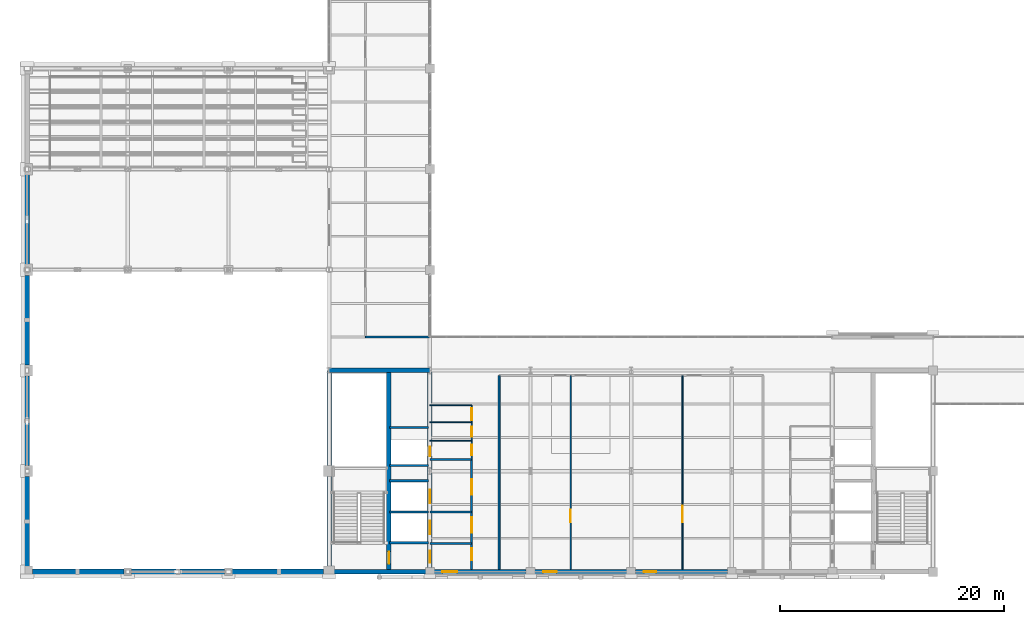
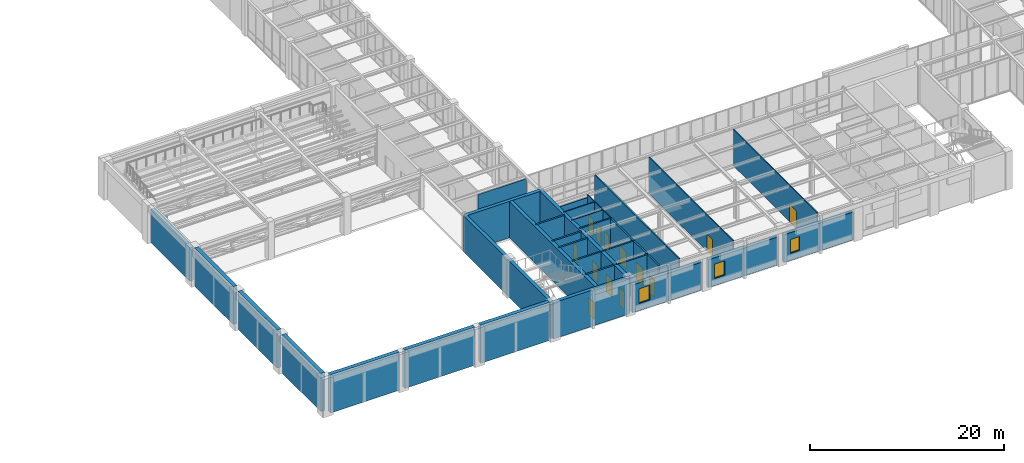
# One storey, part 79 of 92: 32 walls, 13 doors, 3 windows, 16 openings.
"""IFC4 building model written with IfcOpenShell, lengths in metres."""

from ifc_helpers import new_model, si_unit, direction, frame, frame_2d, origin, place, context, subcontext, project, spatial, rectangle, extrude, material, layer, layer_set, type_object, element, fill, save


model = new_model("IFC4")

# Units and contexts
model_context = context("Model", 3, precision=1e-05, world=origin(), true_north=direction((0.0, 1.0)))
body_context = subcontext(model_context, "Body", "Model", "MODEL_VIEW")
ifc_project = project(units=[si_unit("LENGTHUNIT", "METRE"), si_unit("AREAUNIT", "SQUARE_METRE"), si_unit("VOLUMEUNIT", "CUBIC_METRE"), si_unit("PLANEANGLEUNIT", "RADIAN"), si_unit("MASSUNIT", "GRAM", prefix="KILO")], contexts=[model_context])

# Site, building, storey
site_placement = place(None, origin())
site = spatial("IfcSite", under=ifc_project, at=site_placement, CompositionType="ELEMENT")
building_placement = place(site_placement, origin())
building = spatial("IfcBuilding", under=site, at=building_placement, Name="Lykobir Media Centre", CompositionType="ELEMENT")
storey_placement = place(building_placement, frame((0.0, 0.0, 5.39990234375)))
storey = spatial("IfcBuildingStorey", under=building, at=storey_placement, Name="L01", CompositionType="ELEMENT", Elevation=5.39990234375)

# Walls
ifc_material_1 = material(Name="Concrete C35/45", Category="concrete")
ifc_layer_1 = layer(ifc_material_1, 0.4599609375, Name="Concrete C35/45")
ifc_layer_set_1 = layer_set([ifc_layer_1], Name="Concrete C35/45")
wall_type_1 = type_object("IfcWallType", Name="EW-ACO-460", PredefinedType="STANDARD", material=ifc_layer_set_1)
wall_1_placement = place(storey_placement, frame((0.485107421875, 0.0, 0.0), z_axis=(0.0, 0.0, 1.0), x_axis=(1.0, 0.0, 0.0)))
element("IfcWall", 1, at=wall_1_placement, inside=storey, type_object=wall_type_1, Name="Exterior wall WALL-L01-0126", PredefinedType="STANDARD", context=body_context, shape_type="SweptSolid", body=[
    extrude(rectangle(XDim=8.179931640625, YDim=0.4599609375, at=frame_2d((4.08984375, 0.0))), origin(), (0.0, 0.0, 1.0), 4.800048828125),
])
wall_2_placement = place(storey_placement, frame((9.3349609375, 0.0, 0.0), z_axis=(0.0, 0.0, 1.0), x_axis=(1.0, 0.0, 0.0)))
element("IfcWall", 2, at=wall_2_placement, inside=storey, type_object=wall_type_1, Name="Exterior wall WALL-L01-0127", PredefinedType="STANDARD", context=body_context, shape_type="SweptSolid", body=[
    extrude(rectangle(XDim=8.330078125, YDim=0.4599609375, at=frame_2d((4.1650390625, 0.0))), origin(), (0.0, 0.0, 1.0), 4.800048828125),
])
wall_3_placement = place(storey_placement, frame((18.3349609375, 0.0, 0.0), z_axis=(0.0, 0.0, 1.0), x_axis=(1.0, 0.0, 0.0)))
element("IfcWall", 3, at=wall_3_placement, inside=storey, type_object=wall_type_1, Name="Exterior wall WALL-L01-0128", PredefinedType="STANDARD", context=body_context, shape_type="SweptSolid", body=[
    extrude(rectangle(XDim=8.179931640625, YDim=0.4599609375, at=frame_2d((4.08984375, 0.0))), origin(), (0.0, 0.0, 1.0), 4.800048828125),
])
wall_4_placement = place(storey_placement, frame((0.0, 35.514892578125, 0.0), z_axis=(0.0, 0.0, 1.0), x_axis=(0.0, -1.0, 0.0)))
element("IfcWall", 4, at=wall_4_placement, inside=storey, type_object=wall_type_1, Name="Exterior wall WALL-L01-0147", PredefinedType="STANDARD", context=body_context, shape_type="SweptSolid", body=[
    extrude(rectangle(XDim=8.02978515625, YDim=0.4599609375, at=frame_2d((4.014892578125, 0.0))), origin(), (0.0, 0.0, 1.0), 4.18505859375),
])
for number, where, z_axis, x_axis, name in (
    (5, (0.0, 8.514892578125, 0.0), (0.0, 0.0, 1.0), (0.0, -1.0, 0.0), "Exterior wall WALL-L01-0149"),
    (6, (0.0, 17.514892578125, 0.0), (0.0, 0.0, 1.0), (0.0, -1.0, 0.0), "Exterior wall WALL-L01-0150"),
    (7, (0.0, 26.514892578125, 0.0), (0.0, 0.0, 1.0), (0.0, -1.0, 0.0), "Exterior wall WALL-L01-0151"),
):
    element("IfcWall", number, at=place(storey_placement, frame(where, z_axis=z_axis, x_axis=x_axis)), inside=storey, type_object=wall_type_1, Name=name, PredefinedType="STANDARD", context=body_context, shape_type="SweptSolid", body=[
        extrude(rectangle(XDim=8.02978515625, YDim=0.4599609375, at=frame_2d((4.014892578125, 0.0))), origin(), (0.0, 0.0, 1.0), 4.800048828125),
    ])

# Wall, opening, window
ifc_material_2 = material(Name="Honed Travertine Stone", Category="masonry")
ifc_layer_2 = layer(ifc_material_2, 0.389892578125, Name="Honed Travertine Stone")
ifc_layer_set_2 = layer_set([ifc_layer_2], Name="Honed Travertine Stone")
wall_type_2 = type_object("IfcWallType", Name="EW-TRAV-390", PredefinedType="STANDARD", material=ifc_layer_set_2)
wall_5_placement = place(storey_placement, frame((36.385009765625, 0.0, 0.0), z_axis=(0.0, 0.0, 1.0), x_axis=(1.0, 0.0, 0.0)))
wall_5 = element("IfcWall", 8, at=wall_5_placement, inside=storey, type_object=wall_type_2, Name="Exterior wall WALL-L01-0129", PredefinedType="STANDARD", context=body_context, shape_type="SweptSolid", body=[
    extrude(rectangle(XDim=8.22998046875, YDim=0.389892578125, at=frame_2d((4.114990234375, 0.0))), origin(), (0.0, 0.0, 1.0), 3.4951171875),
])
opening_1_placement = place(wall_5_placement, frame((0.75, 0.0, 0.89990234375)))
opening_1 = element("IfcOpeningElement", 9, at=opening_1_placement, cuts=wall_5, Name="Opening WN-1300x1850", PredefinedType="OPENING", context=body_context, shape_type="SweptSolid", body=[
    extrude(rectangle(XDim=1.300048828125, YDim=1.85009765625, at=frame_2d((0.64990234375, 0.925048828125))), frame((0.0, 0.204833984375, 0.0), z_axis=(0.0, -1.0, 0.0), x_axis=(1.0, 0.0, 0.0)), (0.0, 0.0, 1.0), 0.409912109375),
])
ifc_material_3 = material(Name="Low-E Laminated Triple Glazing", Category="glass")
window_type_1 = type_object("IfcWindowType", Name="WN-1300x1850", PartitioningType="SINGLE_PANEL", PredefinedType="WINDOW", material=ifc_material_3)
window_1_placement = place(opening_1_placement, origin())
window_1 = element("IfcWindow", 10, at=window_1_placement, inside=storey, type_object=window_type_1, Name="Window WIN-L01-0028", OverallHeight=1.85009765625, OverallWidth=1.300048828125, PartitioningType="SINGLE_PANEL", PredefinedType="WINDOW", context=body_context, shape_type="SweptSolid", body=[
    extrude(rectangle(XDim=1.300048828125, YDim=1.85009765625, at=frame_2d((0.64990234375, 0.925048828125))), frame((0.0, 0.030029296875, 0.0), z_axis=(0.0, -1.0, 0.0), x_axis=(1.0, 0.0, 0.0)), (0.0, 0.0, 1.0), 0.06005859375),
])
fill(opening_1, window_1)

wall_6_placement = place(storey_placement, frame((45.385009765625, 0.0, 0.0), z_axis=(0.0, 0.0, 1.0), x_axis=(1.0, 0.0, 0.0)))
wall_6 = element("IfcWall", 11, at=wall_6_placement, inside=storey, type_object=wall_type_2, Name="Exterior wall WALL-L01-0130", PredefinedType="STANDARD", context=body_context, shape_type="SweptSolid", body=[
    extrude(rectangle(XDim=8.22998046875, YDim=0.389892578125, at=frame_2d((4.114990234375, 0.0))), origin(), (0.0, 0.0, 1.0), 3.4951171875),
])
opening_2_placement = place(wall_6_placement, frame((0.75, 0.0, 0.89990234375)))
opening_2 = element("IfcOpeningElement", 12, at=opening_2_placement, cuts=wall_6, Name="Opening WN-1200x1800", PredefinedType="OPENING", context=body_context, shape_type="SweptSolid", body=[
    extrude(rectangle(XDim=1.199951171875, YDim=1.800048828125, at=frame_2d((0.60009765625, 0.89990234375))), frame((0.0, 0.204833984375, 0.0), z_axis=(0.0, -1.0, 0.0), x_axis=(1.0, 0.0, 0.0)), (0.0, 0.0, 1.0), 0.409912109375),
])
window_type_2 = type_object("IfcWindowType", Name="WN-1200x1800", PartitioningType="SINGLE_PANEL", PredefinedType="WINDOW", material=ifc_material_3)
window_2_placement = place(opening_2_placement, origin())
window_2 = element("IfcWindow", 13, at=window_2_placement, inside=storey, type_object=window_type_2, Name="Window WIN-L01-0029", OverallHeight=1.800048828125, OverallWidth=1.199951171875, PartitioningType="SINGLE_PANEL", PredefinedType="WINDOW", context=body_context, shape_type="SweptSolid", body=[
    extrude(rectangle(XDim=1.199951171875, YDim=1.800048828125, at=frame_2d((0.60009765625, 0.89990234375))), frame((0.0, 0.030029296875, 0.0), z_axis=(0.0, -1.0, 0.0), x_axis=(1.0, 0.0, 0.0)), (0.0, 0.0, 1.0), 0.06005859375),
])
fill(opening_2, window_2)

wall_7_placement = place(storey_placement, frame((54.385009765625, 0.0, 0.0), z_axis=(0.0, 0.0, 1.0), x_axis=(1.0, 0.0, 0.0)))
wall_7 = element("IfcWall", 14, at=wall_7_placement, inside=storey, type_object=wall_type_2, Name="Exterior wall WALL-L01-0131", PredefinedType="STANDARD", context=body_context, shape_type="SweptSolid", body=[
    extrude(rectangle(XDim=8.22998046875, YDim=0.389892578125, at=frame_2d((4.114990234375, 0.0))), origin(), (0.0, 0.0, 1.0), 3.4951171875),
])
opening_3_placement = place(wall_7_placement, frame((0.75, 0.0, 0.89990234375)))
opening_3 = element("IfcOpeningElement", 15, at=opening_3_placement, cuts=wall_7, Name="Opening WN-1100x1750", PredefinedType="OPENING", context=body_context, shape_type="SweptSolid", body=[
    extrude(rectangle(XDim=1.10009765625, YDim=1.75, at=frame_2d((0.550048828125, 0.875))), frame((0.0, 0.204833984375, 0.0), z_axis=(0.0, -1.0, 0.0), x_axis=(1.0, 0.0, 0.0)), (0.0, 0.0, 1.0), 0.409912109375),
])
window_type_3 = type_object("IfcWindowType", Name="WN-1100x1750", PartitioningType="SINGLE_PANEL", PredefinedType="WINDOW", material=ifc_material_3)
window_3_placement = place(opening_3_placement, origin())
window_3 = element("IfcWindow", 16, at=window_3_placement, inside=storey, type_object=window_type_3, Name="Window WIN-L01-0030", OverallHeight=1.75, OverallWidth=1.10009765625, PartitioningType="SINGLE_PANEL", PredefinedType="WINDOW", context=body_context, shape_type="SweptSolid", body=[
    extrude(rectangle(XDim=1.10009765625, YDim=1.75, at=frame_2d((0.550048828125, 0.875))), frame((0.0, 0.030029296875, 0.0), z_axis=(0.0, -1.0, 0.0), x_axis=(1.0, 0.0, 0.0)), (0.0, 0.0, 1.0), 0.06005859375),
])
fill(opening_3, window_3)

# Walls
ifc_material_4 = material(Name="Acoustic Gypsum Board", Category="gypsum")
ifc_layer_3 = layer(ifc_material_4, 0.159912109375, Name="Acoustic Gypsum Board")
ifc_layer_set_3 = layer_set([ifc_layer_3], Name="Acoustic Gypsum Board")
wall_type_3 = type_object("IfcWallType", Name="IW-COR-160", PredefinedType="PARTITIONING", material=ifc_layer_set_3)
wall_8_placement = place(storey_placement, frame((42.199951171875, 0.219970703125, 0.0), z_axis=(0.0, 0.0, 1.0), x_axis=(0.0, 1.0, 0.0)))
element("IfcWall", 17, at=wall_8_placement, inside=storey, type_object=wall_type_3, Name="Wall IWALL-L01-0678", PredefinedType="PARTITIONING", context=body_context, shape_type="SweptSolid", body=[
    extrude(rectangle(XDim=17.330078125, YDim=0.159912109375, at=frame_2d((8.6650390625, 0.0))), origin(), (0.0, 0.0, 1.0), 4.56005859375),
])
wall_9_placement = place(storey_placement, frame((30.25, 21.0, 0.0), z_axis=(0.0, 0.0, 1.0), x_axis=(1.0, 0.0, 0.0)))
element("IfcWall", 18, at=wall_9_placement, inside=storey, type_object=wall_type_3, Name="Wall IWALL-L01-0683", PredefinedType="PARTITIONING", context=body_context, shape_type="SweptSolid", body=[
    extrude(rectangle(XDim=5.72998046875, YDim=0.159912109375, at=frame_2d((2.864990234375, 0.0))), origin(), (0.0, 0.0, 1.0), 4.18505859375),
])

# Wall, openings, doors
ifc_layer_4 = layer(ifc_material_4, 0.179931640625, Name="Acoustic Gypsum Board")
ifc_layer_set_4 = layer_set([ifc_layer_4], Name="Acoustic Gypsum Board")
wall_type_4 = type_object("IfcWallType", Name="IW-FFLOB-180", PredefinedType="PARTITIONING", material=ifc_layer_set_4)
wall_10_placement = place(storey_placement, frame((39.75, 0.219970703125, 0.0), z_axis=(0.0, 0.0, 1.0), x_axis=(0.0, 1.0, 0.0)))
wall_10 = element("IfcWall", 19, at=wall_10_placement, inside=storey, type_object=wall_type_4, Name="Wall IWALL-L01-0047", PredefinedType="PARTITIONING", context=body_context, shape_type="SweptSolid", body=[
    extrude(rectangle(XDim=9.830078125, YDim=0.179931640625, at=frame_2d((4.9150390625, 0.0))), origin(), (0.0, 0.0, 1.0), 4.56005859375),
])
opening_4_placement = place(wall_10_placement, frame((0.800048828125, 0.0, 0.0)))
opening_4 = element("IfcOpeningElement", 20, at=opening_4_placement, cuts=wall_10, Name="Opening D-L01-C1LV", PredefinedType="OPENING", context=body_context, shape_type="SweptSolid", body=[
    extrude(rectangle(XDim=1.10009765625, YDim=2.159912109375, at=frame_2d((0.550048828125, 1.080078125))), frame((0.0, 0.099853515625, 0.0), z_axis=(0.0, -1.0, 0.0), x_axis=(1.0, 0.0, 0.0)), (0.0, 0.0, 1.0), 0.199951171875),
])
opening_5_placement = place(wall_10_placement, frame((3.25, 0.0, 0.0)))
opening_5 = element("IfcOpeningElement", 21, at=opening_5_placement, cuts=wall_10, Name="Opening D-L01-C1PL", PredefinedType="OPENING", context=body_context, shape_type="SweptSolid", body=[
    extrude(rectangle(XDim=1.39990234375, YDim=2.199951171875, at=frame_2d((0.699951171875, 1.10009765625))), frame((0.0, 0.099853515625, 0.0), z_axis=(0.0, -1.0, 0.0), x_axis=(1.0, 0.0, 0.0)), (0.0, 0.0, 1.0), 0.199951171875),
])
opening_6_placement = place(wall_10_placement, frame((6.64990234375, 0.0, 0.0)))
opening_6 = element("IfcOpeningElement", 22, at=opening_6_placement, cuts=wall_10, Name="Opening D-L01-C1FF", PredefinedType="OPENING", context=body_context, shape_type="SweptSolid", body=[
    extrude(rectangle(XDim=1.39990234375, YDim=2.199951171875, at=frame_2d((0.699951171875, 1.10009765625))), frame((0.0, 0.099853515625, 0.0), z_axis=(0.0, -1.0, 0.0), x_axis=(1.0, 0.0, 0.0)), (0.0, 0.0, 1.0), 0.199951171875),
])
ifc_material_5 = material(Name="Acoustic Timber Panelling", Category="wood")
door_type_1 = type_object("IfcDoorType", Name="FD-1100x2160", OperationType="NOTDEFINED", PredefinedType="DOOR", material=ifc_material_5)
door_1_placement = place(opening_4_placement, origin())
door_1 = element("IfcDoor", 23, at=door_1_placement, inside=storey, type_object=door_type_1, Name="Door D-L01-C1LV", OperationType="SINGLE_SWING_RIGHT", OverallHeight=2.159912109375, OverallWidth=1.10009765625, PredefinedType="DOOR", context=body_context, shape_type="SweptSolid", body=[
    extrude(rectangle(XDim=1.10009765625, YDim=2.159912109375, at=frame_2d((0.550048828125, 1.080078125))), frame((0.0, 0.02490234375, 0.0), z_axis=(0.0, -1.0, 0.0), x_axis=(1.0, 0.0, 0.0)), (0.0, 0.0, 1.0), 0.050048828125),
])
fill(opening_4, door_1)
door_type_2 = type_object("IfcDoorType", Name="FD-1400x2200", OperationType="NOTDEFINED", PredefinedType="DOOR", material=ifc_material_5)
door_2_placement = place(opening_5_placement, origin())
door_2 = element("IfcDoor", 24, at=door_2_placement, inside=storey, type_object=door_type_2, Name="Door D-L01-C1PL", OperationType="DOUBLE_DOOR_SINGLE_SWING", OverallHeight=2.199951171875, OverallWidth=1.39990234375, PredefinedType="DOOR", context=body_context, shape_type="SweptSolid", body=[
    extrude(rectangle(XDim=1.39990234375, YDim=2.199951171875, at=frame_2d((0.699951171875, 1.10009765625))), frame((0.0, 0.02490234375, 0.0), z_axis=(0.0, -1.0, 0.0), x_axis=(1.0, 0.0, 0.0)), (0.0, 0.0, 1.0), 0.050048828125),
])
fill(opening_5, door_2)
door_3_placement = place(opening_6_placement, origin())
door_3 = element("IfcDoor", 25, at=door_3_placement, inside=storey, type_object=door_type_2, Name="Door D-L01-C1FF", OperationType="DOUBLE_DOOR_SINGLE_SWING", OverallHeight=2.199951171875, OverallWidth=1.39990234375, PredefinedType="DOOR", context=body_context, shape_type="SweptSolid", body=[
    extrude(rectangle(XDim=1.39990234375, YDim=2.199951171875, at=frame_2d((0.699951171875, 1.10009765625))), frame((0.0, 0.02490234375, 0.0), z_axis=(0.0, -1.0, 0.0), x_axis=(1.0, 0.0, 0.0)), (0.0, 0.0, 1.0), 0.050048828125),
])
fill(opening_6, door_3)

# Walls
for number, where, z_axis, x_axis, name in (
    (26, (36.0, 2.550048828125, 0.0), (0.0, 0.0, 1.0), (1.0, 0.0, 0.0), "Wall IWALL-L01-0048"),
    (27, (36.0, 5.35009765625, 0.0), (0.0, 0.0, 1.0), (1.0, 0.0, 0.0), "Wall IWALL-L01-0049"),
    (28, (36.0, 10.050048828125, 0.0), (0.0, 0.0, 1.0), (1.0, 0.0, 0.0), "Wall IWALL-L01-0050"),
):
    element("IfcWall", number, at=place(storey_placement, frame(where, z_axis=z_axis, x_axis=x_axis)), inside=storey, type_object=wall_type_4, Name=name, PredefinedType="PARTITIONING", context=body_context, shape_type="SweptSolid", body=[
        extrude(rectangle(XDim=3.75, YDim=0.179931640625, at=frame_2d((1.875, 0.0))), origin(), (0.0, 0.0, 1.0), 4.56005859375),
    ])

# Wall, opening, door
ifc_layer_5 = layer(ifc_material_4, 0.110107421875, Name="Acoustic Gypsum Board")
ifc_layer_set_5 = layer_set([ifc_layer_5], Name="Acoustic Gypsum Board")
wall_type_5 = type_object("IfcWallType", Name="IW-RM-110", PredefinedType="PARTITIONING", material=ifc_layer_set_5)
wall_11_placement = place(storey_placement, frame((58.60009765625, 0.219970703125, 0.0), z_axis=(0.0, 0.0, 1.0), x_axis=(0.0, 1.0, 0.0)))
wall_11 = element("IfcWall", 29, at=wall_11_placement, inside=storey, type_object=wall_type_5, Name="Wall IWALL-L01-0681", PredefinedType="PARTITIONING", context=body_context, shape_type="SweptSolid", body=[
    extrude(rectangle(XDim=17.330078125, YDim=0.110107421875, at=frame_2d((8.6650390625, 0.0))), origin(), (0.0, 0.0, 1.0), 4.56005859375),
])
opening_7_placement = place(wall_11_placement, frame((4.199951171875, 0.0, 0.0)))
opening_7 = element("IfcOpeningElement", 30, at=opening_7_placement, cuts=wall_11, Name="Opening D-L01-V7S2", PredefinedType="OPENING", context=body_context, shape_type="SweptSolid", body=[
    extrude(rectangle(XDim=1.5, YDim=2.199951171875, at=frame_2d((0.75, 1.10009765625))), frame((0.0, 0.06494140625, 0.0), z_axis=(0.0, -1.0, 0.0), x_axis=(1.0, 0.0, 0.0)), (0.0, 0.0, 1.0), 0.130126953125),
])
door_type_3 = type_object("IfcDoorType", Name="ID-1500x2200", OperationType="NOTDEFINED", PredefinedType="DOOR", material=ifc_material_5)
door_4_placement = place(opening_7_placement, origin())
door_4 = element("IfcDoor", 31, at=door_4_placement, inside=storey, type_object=door_type_3, Name="Door D-L01-V7S2", OperationType="SINGLE_SWING_RIGHT", OverallHeight=2.199951171875, OverallWidth=1.5, PredefinedType="DOOR", context=body_context, shape_type="SweptSolid", body=[
    extrude(rectangle(XDim=1.5, YDim=2.199951171875, at=frame_2d((0.75, 1.10009765625))), frame((0.0, 0.02490234375, 0.0), z_axis=(0.0, -1.0, 0.0), x_axis=(1.0, 0.0, 0.0)), (0.0, 0.0, 1.0), 0.050048828125),
])
fill(opening_7, door_4)

ifc_layer_6 = layer(ifc_material_4, 0.125, Name="Acoustic Gypsum Board")
ifc_layer_set_6 = layer_set([ifc_layer_6], Name="Acoustic Gypsum Board")
wall_type_6 = type_object("IfcWallType", Name="IW-RM-125", PredefinedType="PARTITIONING", material=ifc_layer_set_6)
wall_12_placement = place(storey_placement, frame((48.60009765625, 0.219970703125, 0.0), z_axis=(0.0, 0.0, 1.0), x_axis=(0.0, 1.0, 0.0)))
wall_12 = element("IfcWall", 32, at=wall_12_placement, inside=storey, type_object=wall_type_6, Name="Wall IWALL-L01-0680", PredefinedType="PARTITIONING", context=body_context, shape_type="SweptSolid", body=[
    extrude(rectangle(XDim=17.330078125, YDim=0.125, at=frame_2d((8.6650390625, 0.0))), origin(), (0.0, 0.0, 1.0), 4.56005859375),
])
opening_8_placement = place(wall_12_placement, frame((4.199951171875, 0.0, 0.0)))
opening_8 = element("IfcOpeningElement", 33, at=opening_8_placement, cuts=wall_12, Name="Opening D-L01-V7S1", PredefinedType="OPENING", context=body_context, shape_type="SweptSolid", body=[
    extrude(rectangle(XDim=1.14990234375, YDim=2.14990234375, at=frame_2d((0.574951171875, 1.074951171875))), frame((0.0, 0.072509765625, 0.0), z_axis=(0.0, -1.0, 0.0), x_axis=(1.0, 0.0, 0.0)), (0.0, 0.0, 1.0), 0.14501953125),
])
door_type_4 = type_object("IfcDoorType", Name="ID-1150x2150", OperationType="NOTDEFINED", PredefinedType="DOOR", material=ifc_material_5)
door_5_placement = place(opening_8_placement, origin())
door_5 = element("IfcDoor", 34, at=door_5_placement, inside=storey, type_object=door_type_4, Name="Door D-L01-V7S1", OperationType="SINGLE_SWING_RIGHT", OverallHeight=2.14990234375, OverallWidth=1.14990234375, PredefinedType="DOOR", context=body_context, shape_type="SweptSolid", body=[
    extrude(rectangle(XDim=1.14990234375, YDim=2.14990234375, at=frame_2d((0.574951171875, 1.074951171875))), frame((0.0, 0.02490234375, 0.0), z_axis=(0.0, -1.0, 0.0), x_axis=(1.0, 0.0, 0.0)), (0.0, 0.0, 1.0), 0.050048828125),
])
fill(opening_8, door_5)

# Walls
ifc_material_6 = material(Name="Concrete C30/37", Category="concrete")
ifc_layer_7 = layer(ifc_material_6, 0.199951171875, Name="Concrete C30/37")
ifc_layer_set_7 = layer_set([ifc_layer_7], Name="Concrete C30/37")
wall_type_7 = type_object("IfcWallType", Name="IW-SHAFT-200", PredefinedType="PARTITIONING", material=ifc_layer_set_7)
for number, where, z_axis, x_axis, name in (
    (35, (32.39990234375, 2.60009765625, 0.0), (0.0, 0.0, 1.0), (1.0, 0.0, 0.0), "Wall IWALL-L01-0042"),
    (36, (32.39990234375, 5.35009765625, 0.0), (0.0, 0.0, 1.0), (1.0, 0.0, 0.0), "Wall IWALL-L01-0043"),
    (37, (32.39990234375, 8.14990234375, 0.0), (0.0, 0.0, 1.0), (1.0, 0.0, 0.0), "Wall IWALL-L01-0044"),
    (38, (32.39990234375, 9.5, 0.0), (0.0, 0.0, 1.0), (1.0, 0.0, 0.0), "Wall IWALL-L01-0045"),
    (39, (32.39990234375, 12.89990234375, 0.0), (0.0, 0.0, 1.0), (1.0, 0.0, 0.0), "Wall IWALL-L01-0046"),
):
    element("IfcWall", number, at=place(storey_placement, frame(where, z_axis=z_axis, x_axis=x_axis)), inside=storey, type_object=wall_type_7, Name=name, PredefinedType="PARTITIONING", context=body_context, shape_type="SweptSolid", body=[
        extrude(rectangle(XDim=3.5, YDim=0.199951171875, at=frame_2d((1.75, 0.0))), origin(), (0.0, 0.0, 1.0), 4.56005859375),
    ])

# Wall, openings, doors
ifc_layer_8 = layer(ifc_material_4, 0.094970703125, Name="Acoustic Gypsum Board")
ifc_layer_set_8 = layer_set([ifc_layer_8], Name="Acoustic Gypsum Board")
wall_type_8 = type_object("IfcWallType", Name="IW-WC-095", PredefinedType="PARTITIONING", material=ifc_layer_set_8)
wall_13_placement = place(storey_placement, frame((39.75, 10.050048828125, 0.0), z_axis=(0.0, 0.0, 1.0), x_axis=(0.0, 1.0, 0.0)))
wall_13 = element("IfcWall", 40, at=wall_13_placement, inside=storey, type_object=wall_type_8, Name="Wall IWALL-L01-0051", PredefinedType="PARTITIONING", context=body_context, shape_type="SweptSolid", body=[
    extrude(rectangle(XDim=4.849853515625, YDim=0.094970703125, at=frame_2d((2.4248046875, 0.0))), origin(), (0.0, 0.0, 1.0), 4.56005859375),
])
opening_9_placement = place(wall_13_placement, frame((0.3798828125, 0.0, 0.0)))
opening_9 = element("IfcOpeningElement", 41, at=opening_9_placement, cuts=wall_13, Name="Opening D-L01-WCM", PredefinedType="OPENING", context=body_context, shape_type="SweptSolid", body=[
    extrude(rectangle(XDim=0.919921875, YDim=2.10009765625, at=frame_2d((0.4599609375, 1.050048828125))), frame((0.0, 0.057373046875, 0.0), z_axis=(0.0, -1.0, 0.0), x_axis=(1.0, 0.0, 0.0)), (0.0, 0.0, 1.0), 0.114990234375),
])
opening_10_placement = place(wall_13_placement, frame((2.02001953125, 0.0, 0.0)))
opening_10 = element("IfcOpeningElement", 42, at=opening_10_placement, cuts=wall_13, Name="Opening D-L01-WCF", PredefinedType="OPENING", context=body_context, shape_type="SweptSolid", body=[
    extrude(rectangle(XDim=0.919921875, YDim=2.10009765625, at=frame_2d((0.4599609375, 1.050048828125))), frame((0.0, 0.057373046875, 0.0), z_axis=(0.0, -1.0, 0.0), x_axis=(1.0, 0.0, 0.0)), (0.0, 0.0, 1.0), 0.114990234375),
])
opening_11_placement = place(wall_13_placement, frame((3.52001953125, 0.0, 0.0)))
opening_11 = element("IfcOpeningElement", 43, at=opening_11_placement, cuts=wall_13, Name="Opening D-L01-WCA1", PredefinedType="OPENING", context=body_context, shape_type="SweptSolid", body=[
    extrude(rectangle(XDim=1.050048828125, YDim=2.1298828125, at=frame_2d((0.52490234375, 1.06494140625))), frame((0.0, 0.057373046875, 0.0), z_axis=(0.0, -1.0, 0.0), x_axis=(1.0, 0.0, 0.0)), (0.0, 0.0, 1.0), 0.114990234375),
])
door_type_5 = type_object("IfcDoorType", Name="ID-0920x2100", OperationType="NOTDEFINED", PredefinedType="DOOR", material=ifc_material_5)
door_6_placement = place(opening_9_placement, origin())
door_6 = element("IfcDoor", 44, at=door_6_placement, inside=storey, type_object=door_type_5, Name="Door D-L01-WCM", OperationType="SINGLE_SWING_LEFT", OverallHeight=2.10009765625, OverallWidth=0.919921875, PredefinedType="DOOR", context=body_context, shape_type="SweptSolid", body=[
    extrude(rectangle(XDim=0.919921875, YDim=2.10009765625, at=frame_2d((0.4599609375, 1.050048828125))), frame((0.0, 0.02490234375, 0.0), z_axis=(0.0, -1.0, 0.0), x_axis=(1.0, 0.0, 0.0)), (0.0, 0.0, 1.0), 0.050048828125),
])
fill(opening_9, door_6)
door_7_placement = place(opening_10_placement, origin())
door_7 = element("IfcDoor", 45, at=door_7_placement, inside=storey, type_object=door_type_5, Name="Door D-L01-WCF", OperationType="SINGLE_SWING_RIGHT", OverallHeight=2.10009765625, OverallWidth=0.919921875, PredefinedType="DOOR", context=body_context, shape_type="SweptSolid", body=[
    extrude(rectangle(XDim=0.919921875, YDim=2.10009765625, at=frame_2d((0.4599609375, 1.050048828125))), frame((0.0, 0.02490234375, 0.0), z_axis=(0.0, -1.0, 0.0), x_axis=(1.0, 0.0, 0.0)), (0.0, 0.0, 1.0), 0.050048828125),
])
fill(opening_10, door_7)
door_type_6 = type_object("IfcDoorType", Name="ID-1050x2130", OperationType="NOTDEFINED", PredefinedType="DOOR", material=ifc_material_5)
door_8_placement = place(opening_11_placement, origin())
door_8 = element("IfcDoor", 46, at=door_8_placement, inside=storey, type_object=door_type_6, Name="Door D-L01-WCA1", OperationType="SINGLE_SWING_LEFT", OverallHeight=2.1298828125, OverallWidth=1.050048828125, PredefinedType="DOOR", context=body_context, shape_type="SweptSolid", body=[
    extrude(rectangle(XDim=1.050048828125, YDim=2.1298828125, at=frame_2d((0.52490234375, 1.06494140625))), frame((0.0, 0.02490234375, 0.0), z_axis=(0.0, -1.0, 0.0), x_axis=(1.0, 0.0, 0.0)), (0.0, 0.0, 1.0), 0.050048828125),
])
fill(opening_11, door_8)

# Walls
for number, where, z_axis, x_axis, name in (
    (47, (36.0, 11.719970703125, 0.0), (0.0, 0.0, 1.0), (1.0, 0.0, 0.0), "Wall IWALL-L01-0052"),
    (48, (36.0, 13.3798828125, 0.0), (0.0, 0.0, 1.0), (1.0, 0.0, 0.0), "Wall IWALL-L01-0053"),
):
    element("IfcWall", number, at=place(storey_placement, frame(where, z_axis=z_axis, x_axis=x_axis)), inside=storey, type_object=wall_type_8, Name=name, PredefinedType="PARTITIONING", context=body_context, shape_type="SweptSolid", body=[
        extrude(rectangle(XDim=3.75, YDim=0.094970703125, at=frame_2d((1.875, 0.0))), origin(), (0.0, 0.0, 1.0), 4.56005859375),
    ])
wall_14_placement = place(storey_placement, frame((36.0, 14.89990234375, 0.0), z_axis=(0.0, 0.0, 1.0), x_axis=(1.0, 0.0, 0.0)))
element("IfcWall", 49, at=wall_14_placement, inside=storey, type_object=wall_type_8, Name="Wall IWALL-L01-0054", PredefinedType="PARTITIONING", context=body_context, shape_type="SweptSolid", body=[
    extrude(rectangle(XDim=3.75, YDim=0.094970703125, at=frame_2d((1.875, 0.0))), origin(), (0.0, 0.0, 1.0), 4.18505859375),
])

# Wall, openings, doors
ifc_material_7 = material(Name="Concrete C40/50", Category="concrete")
ifc_layer_9 = layer(ifc_material_7, 0.39990234375, Name="Concrete C40/50")
ifc_layer_set_9 = layer_set([ifc_layer_9], Name="Concrete C40/50")
wall_type_9 = type_object("IfcWallType", Name="SW-CORE-400", PredefinedType="SHEAR", material=ifc_layer_set_9)
wall_15_placement = place(storey_placement, frame((36.0, 0.0, 0.0), z_axis=(0.0, 0.0, 1.0), x_axis=(0.0, 1.0, 0.0)))
wall_15 = element("IfcWall", 50, at=wall_15_placement, inside=storey, type_object=wall_type_9, Name="Wall IWALL-L01-0038", PredefinedType="SHEAR", context=body_context, shape_type="SweptSolid", body=[
    extrude(rectangle(XDim=18.0, YDim=0.39990234375, at=frame_2d((9.0, 0.0))), origin(), (0.0, 0.0, 1.0), 4.56005859375),
])
opening_12_placement = place(wall_15_placement, frame((0.800048828125, 0.0, 0.0)))
opening_12 = element("IfcOpeningElement", 51, at=opening_12_placement, cuts=wall_15, Name="Opening D-L01-C1VB", PredefinedType="OPENING", context=body_context, shape_type="SweptSolid", body=[
    extrude(rectangle(XDim=1.10009765625, YDim=2.159912109375, at=frame_2d((0.550048828125, 1.080078125))), frame((0.0, 0.2099609375, 0.0), z_axis=(0.0, -1.0, 0.0), x_axis=(1.0, 0.0, 0.0)), (0.0, 0.0, 1.0), 0.419921875),
])
opening_13_placement = place(wall_15_placement, frame((3.35009765625, 0.0, 0.0)))
opening_13 = element("IfcOpeningElement", 52, at=opening_13_placement, cuts=wall_15, Name="Opening LD-L01-PL-1", PredefinedType="OPENING", context=body_context, shape_type="SweptSolid", body=[
    extrude(rectangle(XDim=1.199951171875, YDim=2.199951171875, at=frame_2d((0.60009765625, 1.10009765625))), frame((0.0, 0.2099609375, 0.0), z_axis=(0.0, -1.0, 0.0), x_axis=(1.0, 0.0, 0.0)), (0.0, 0.0, 1.0), 0.419921875),
])
opening_14_placement = place(wall_15_placement, frame((6.14990234375, 0.0, 0.0)))
opening_14 = element("IfcOpeningElement", 53, at=opening_14_placement, cuts=wall_15, Name="Opening LD-L01-FL-1", PredefinedType="OPENING", context=body_context, shape_type="SweptSolid", body=[
    extrude(rectangle(XDim=1.199951171875, YDim=2.199951171875, at=frame_2d((0.60009765625, 1.10009765625))), frame((0.0, 0.2099609375, 0.0), z_axis=(0.0, -1.0, 0.0), x_axis=(1.0, 0.0, 0.0)), (0.0, 0.0, 1.0), 0.419921875),
])
opening_15_placement = place(wall_15_placement, frame((10.35009765625, 0.0, 0.0)))
opening_15 = element("IfcOpeningElement", 54, at=opening_15_placement, cuts=wall_15, Name="Opening D-L01-C1RS", PredefinedType="OPENING", context=body_context, shape_type="SweptSolid", body=[
    extrude(rectangle(XDim=0.85009765625, YDim=2.10009765625, at=frame_2d((0.425048828125, 1.050048828125))), frame((0.0, 0.2099609375, 0.0), z_axis=(0.0, -1.0, 0.0), x_axis=(1.0, 0.0, 0.0)), (0.0, 0.0, 1.0), 0.419921875),
])
ifc_material_8 = material(Name="Anodized Aluminium AW-6060", Category="aluminium")
door_type_7 = type_object("IfcDoorType", Name="FD-0850x2100", OperationType="NOTDEFINED", PredefinedType="DOOR", material=ifc_material_8)
door_9_placement = place(opening_15_placement, origin())
door_9 = element("IfcDoor", 55, at=door_9_placement, inside=storey, type_object=door_type_7, Name="Riser access door C1 L01", OperationType="SINGLE_SWING_LEFT", OverallHeight=2.10009765625, OverallWidth=0.85009765625, PredefinedType="DOOR", context=body_context, shape_type="SweptSolid", body=[
    extrude(rectangle(XDim=0.85009765625, YDim=2.10009765625, at=frame_2d((0.425048828125, 1.050048828125))), frame((0.0, 0.02490234375, 0.0), z_axis=(0.0, -1.0, 0.0), x_axis=(1.0, 0.0, 0.0)), (0.0, 0.0, 1.0), 0.050048828125),
])
fill(opening_15, door_9)
door_10_placement = place(opening_12_placement, origin())
door_10 = element("IfcDoor", 56, at=door_10_placement, inside=storey, type_object=door_type_1, Name="Door D-L01-C1VB", OperationType="SINGLE_SWING_RIGHT", OverallHeight=2.159912109375, OverallWidth=1.10009765625, PredefinedType="DOOR", context=body_context, shape_type="SweptSolid", body=[
    extrude(rectangle(XDim=1.10009765625, YDim=2.159912109375, at=frame_2d((0.550048828125, 1.080078125))), frame((0.0, 0.02490234375, 0.0), z_axis=(0.0, -1.0, 0.0), x_axis=(1.0, 0.0, 0.0)), (0.0, 0.0, 1.0), 0.050048828125),
])
fill(opening_12, door_10)
door_type_8 = type_object("IfcDoorType", Name="LD-1200x2200", OperationType="NOTDEFINED", PredefinedType="DOOR", material=ifc_material_8)
door_11_placement = place(opening_13_placement, origin())
door_11 = element("IfcDoor", 57, at=door_11_placement, inside=storey, type_object=door_type_8, Name="Lift landing door PL-1 L01", OperationType="SLIDING_TO_LEFT", OverallHeight=2.199951171875, OverallWidth=1.199951171875, PredefinedType="DOOR", context=body_context, shape_type="SweptSolid", body=[
    extrude(rectangle(XDim=1.199951171875, YDim=2.199951171875, at=frame_2d((0.60009765625, 1.10009765625))), frame((0.0, 0.02490234375, 0.0), z_axis=(0.0, -1.0, 0.0), x_axis=(1.0, 0.0, 0.0)), (0.0, 0.0, 1.0), 0.050048828125),
])
fill(opening_13, door_11)
door_12_placement = place(opening_14_placement, origin())
door_12 = element("IfcDoor", 58, at=door_12_placement, inside=storey, type_object=door_type_8, Name="Firefighting lift landing door FL-1 L01", OperationType="SLIDING_TO_LEFT", OverallHeight=2.199951171875, OverallWidth=1.199951171875, PredefinedType="DOOR", context=body_context, shape_type="SweptSolid", body=[
    extrude(rectangle(XDim=1.199951171875, YDim=2.199951171875, at=frame_2d((0.60009765625, 1.10009765625))), frame((0.0, 0.02490234375, 0.0), z_axis=(0.0, -1.0, 0.0), x_axis=(1.0, 0.0, 0.0)), (0.0, 0.0, 1.0), 0.050048828125),
])
fill(opening_14, door_12)

# Wall, opening, door
wall_16_placement = place(storey_placement, frame((32.35009765625, 0.0, 0.0), z_axis=(0.0, 0.0, 1.0), x_axis=(0.0, 1.0, 0.0)))
wall_16 = element("IfcWall", 59, at=wall_16_placement, inside=storey, type_object=wall_type_9, Name="Wall IWALL-L01-0041", PredefinedType="SHEAR", context=body_context, shape_type="SweptSolid", body=[
    extrude(rectangle(XDim=18.0, YDim=0.39990234375, at=frame_2d((9.0, 0.0))), origin(), (0.0, 0.0, 1.0), 4.56005859375),
])
opening_16_placement = place(wall_16_placement, frame((0.699951171875, 0.0, 0.0)))
opening_16 = element("IfcOpeningElement", 60, at=opening_16_placement, cuts=wall_16, Name="Opening D-L01-C1ST", PredefinedType="OPENING", context=body_context, shape_type="SweptSolid", body=[
    extrude(rectangle(XDim=1.10009765625, YDim=2.159912109375, at=frame_2d((0.550048828125, 1.080078125))), frame((0.0, 0.2099609375, 0.0), z_axis=(0.0, -1.0, 0.0), x_axis=(1.0, 0.0, 0.0)), (0.0, 0.0, 1.0), 0.419921875),
])
door_13_placement = place(opening_16_placement, frame((1.10009765625, 0.0, 0.0), z_axis=(0.0, 0.0, 1.0), x_axis=(-1.0, 0.0, 0.0)))
door_13 = element("IfcDoor", 61, at=door_13_placement, inside=storey, type_object=door_type_1, Name="L01 ST-1 stairwell fire door", OperationType="SINGLE_SWING_LEFT", OverallHeight=2.159912109375, OverallWidth=1.10009765625, PredefinedType="DOOR", context=body_context, shape_type="SweptSolid", body=[
    extrude(rectangle(XDim=1.10009765625, YDim=2.159912109375, at=frame_2d((0.550048828125, 1.080078125))), frame((0.0, 0.02490234375, 0.0), z_axis=(0.0, -1.0, 0.0), x_axis=(1.0, 0.0, 0.0)), (0.0, 0.0, 1.0), 0.050048828125),
])
fill(opening_16, door_13)

# Walls
ifc_layer_10 = layer(ifc_material_7, 0.39990234375, Name="Concrete C40/50")
ifc_layer_set_10 = layer_set([ifc_layer_10], Name="Concrete C40/50")
wall_type_10 = type_object("IfcWallType", Name="SW-CORE-400-E", PredefinedType="SHEAR", material=ifc_layer_set_10)
for number, where, z_axis, x_axis, name in (
    (62, (27.0, 0.0, 0.0), (0.0, 0.0, 1.0), (1.0, 0.0, 0.0), "Wall IWALL-L01-0037"),
    (63, (36.0, 18.0, 0.0), (0.0, 0.0, 1.0), (-1.0, 0.0, 0.0), "Wall IWALL-L01-0039"),
):
    element("IfcWall", number, at=place(storey_placement, frame(where, z_axis=z_axis, x_axis=x_axis)), inside=storey, type_object=wall_type_10, Name=name, PredefinedType="SHEAR", context=body_context, shape_type="SweptSolid", body=[
        extrude(rectangle(XDim=9.0, YDim=0.39990234375, at=frame_2d((4.5, 0.0))), origin(), (0.0, 0.0, 1.0), 4.56005859375),
    ])
wall_17_placement = place(storey_placement, frame((27.0, 18.0, 0.0), z_axis=(0.0, 0.0, 1.0), x_axis=(0.0, -1.0, 0.0)))
element("IfcWall", 64, at=wall_17_placement, inside=storey, type_object=wall_type_10, Name="Wall IWALL-L01-0040", PredefinedType="SHEAR", context=body_context, shape_type="SweptSolid", body=[
    extrude(rectangle(XDim=18.0, YDim=0.39990234375, at=frame_2d((9.0, 0.0))), origin(), (0.0, 0.0, 1.0), 4.56005859375),
])

save(model, "model.ifc")
